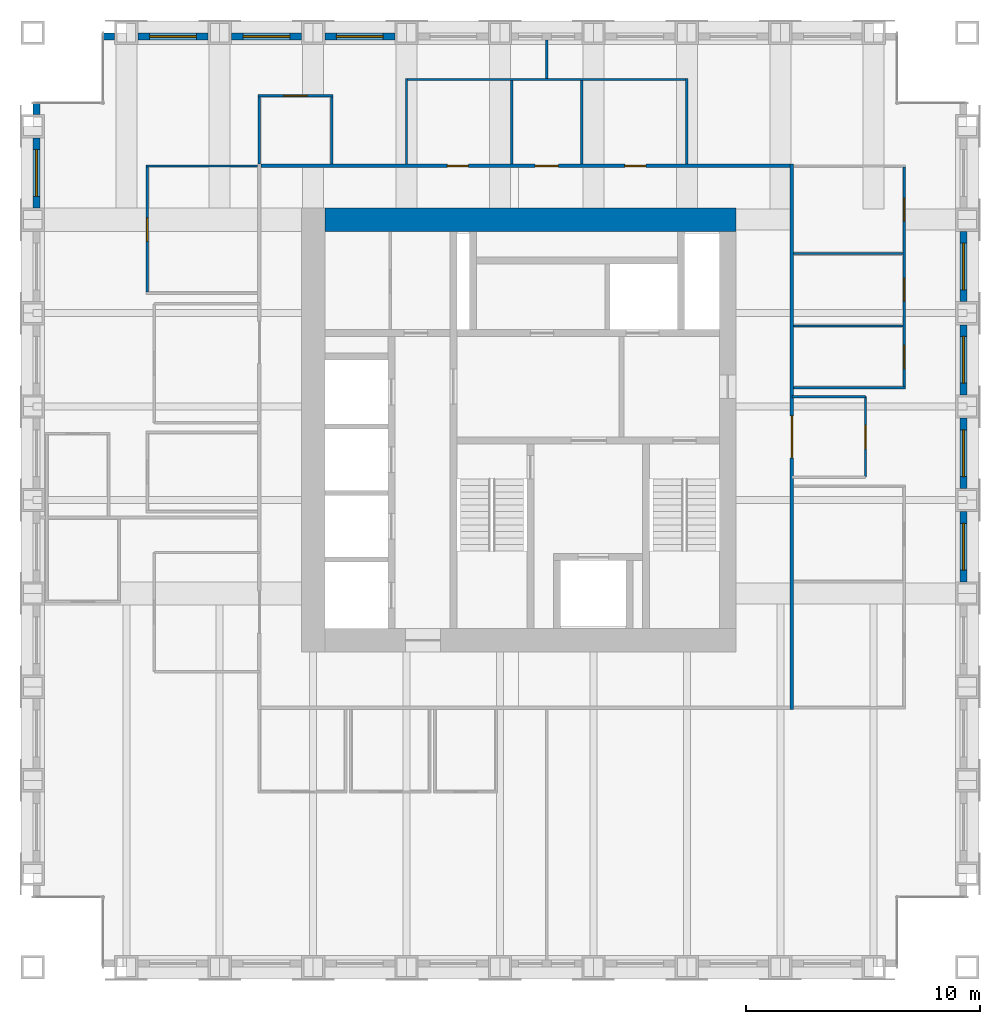
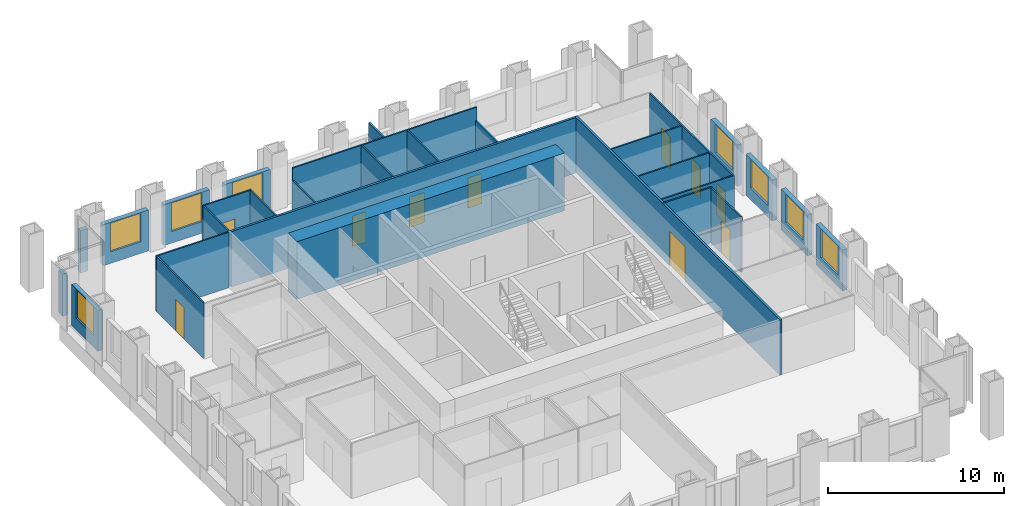
# One storey, part 10 of 13: 30 walls, 10 doors, 8 windows, 18 openings.
"""IFC4 building model written with IfcOpenShell, lengths in metres."""

from ifc_helpers import new_model, si_unit, direction, frame, frame_2d, origin, place, context, subcontext, project, spatial, rectangle, extrude, material, layer, layer_set, type_object, element, fill, save


model = new_model("IFC4")

# Units and contexts
model_context = context("Model", 3, precision=1e-05, world=origin(), true_north=direction((0.0, 1.0)))
body_context = subcontext(model_context, "Body", "Model", "MODEL_VIEW")
ifc_project = project(units=[si_unit("LENGTHUNIT", "METRE"), si_unit("AREAUNIT", "SQUARE_METRE"), si_unit("VOLUMEUNIT", "CUBIC_METRE"), si_unit("PLANEANGLEUNIT", "RADIAN"), si_unit("MASSUNIT", "GRAM", prefix="KILO")], contexts=[model_context])

# Site, building, storey
site_placement = place(None, origin())
site = spatial("IfcSite", under=ifc_project, at=site_placement, CompositionType="ELEMENT")
building_placement = place(site_placement, origin())
building = spatial("IfcBuilding", under=site, at=building_placement, Name="Rimbunsela Tower", CompositionType="ELEMENT")
storey_placement = place(building_placement, frame((0.0, 0.0, 290.199951171875)))
storey = spatial("IfcBuildingStorey", under=building, at=storey_placement, Name="L70", CompositionType="ELEMENT", Elevation=290.199951171875)

# Walls
ifc_material_1 = material(Name="Concrete fc' 80 MPa", Category="concrete")
ifc_layer_1 = layer(ifc_material_1, 1.0)
ifc_layer_set_1 = layer_set([ifc_layer_1], Name="Core wall 1000")
wall_type_1 = type_object("IfcWallType", Name="Core wall 1000", PredefinedType="SHEAR", material=ifc_layer_set_1)
wall_1_placement = place(storey_placement, frame((18.5, 36.0, -0.14990234375), z_axis=(0.0, 0.0, 1.0), x_axis=(1.0, 0.0, 0.0)))
element("IfcWall", 1, at=wall_1_placement, inside=storey, type_object=wall_type_1, Name="Core wall north", PredefinedType="SHEAR", context=body_context, shape_type="SweptSolid", body=[
    extrude(rectangle(XDim=17.60009765625, YDim=1.0, at=frame_2d((8.800048828125, 0.0))), origin(), (0.0, 0.0, 1.0), 4.0),
])
ifc_material_2 = material(Name="Gypsum board on steel studs", Category="steel")
ifc_layer_2 = layer(ifc_material_2, 0.10009765625)
ifc_layer_set_2 = layer_set([ifc_layer_2], Name="Office partition 100")
wall_type_2 = type_object("IfcWallType", Name="Office partition 100", PredefinedType="PARTITIONING", material=ifc_layer_set_2)
wall_2_placement = place(storey_placement, frame((38.574951171875, 28.800048828125, 0.0), z_axis=(0.0, 0.0, 1.0), x_axis=(1.0, 0.0, 0.0)))
element("IfcWall", 2, at=wall_2_placement, inside=storey, type_object=wall_type_2, Name="Office partition", PredefinedType="PARTITIONING", context=body_context, shape_type="SweptSolid", body=[
    extrude(rectangle(XDim=4.775146484375, YDim=0.10009765625, at=frame_2d((2.3876953125, 0.0))), origin(), (0.0, 0.0, 1.0), 3.85009765625),
])
for number, where, z_axis, x_axis, name in (
    (3, (38.574951171875, 31.449951171875, 0.0), (0.0, 0.0, 1.0), (1.0, 0.0, 0.0), "Office partition"),
    (4, (38.574951171875, 34.550048828125, 0.0), (0.0, 0.0, 1.0), (1.0, 0.0, 0.0), "Office partition"),
):
    element("IfcWall", number, at=place(storey_placement, frame(where, z_axis=z_axis, x_axis=x_axis)), inside=storey, type_object=wall_type_2, Name=name, PredefinedType="PARTITIONING", context=body_context, shape_type="SweptSolid", body=[
        extrude(rectangle(XDim=4.675048828125, YDim=0.10009765625, at=frame_2d((2.33740234375, 0.0))), origin(), (0.0, 0.0, 1.0), 3.85009765625),
    ])
wall_3_placement = place(storey_placement, frame((10.85009765625, 38.300048828125, 0.0), z_axis=(0.0, 0.0, 1.0), x_axis=(1.0, 0.0, 0.0)))
element("IfcWall", 5, at=wall_3_placement, inside=storey, type_object=wall_type_2, Name="Office partition", PredefinedType="PARTITIONING", context=body_context, shape_type="SweptSolid", body=[
    extrude(rectangle(XDim=4.77490234375, YDim=0.10009765625, at=frame_2d((2.387451171875, 0.0))), origin(), (0.0, 0.0, 1.0), 3.85009765625),
])

# Wall, opening, door
wall_4_placement = place(storey_placement, frame((15.64990234375, 41.300048828125, 0.0), z_axis=(0.0, 0.0, 1.0), x_axis=(1.0, 0.0, 0.0)))
wall_4 = element("IfcWall", 6, at=wall_4_placement, inside=storey, type_object=wall_type_2, Name="Office partition", PredefinedType="PARTITIONING", context=body_context, shape_type="SweptSolid", body=[
    extrude(rectangle(XDim=3.2001953125, YDim=0.10009765625, at=frame_2d((1.60009765625, 0.0))), origin(), (0.0, 0.0, 1.0), 3.85009765625),
])
opening_1_placement = place(wall_4_placement, frame((1.10009765625, 0.0, 0.0)))
opening_1 = element("IfcOpeningElement", 7, at=opening_1_placement, cuts=wall_4, Name="Opening D16", PredefinedType="OPENING", context=body_context, shape_type="SweptSolid", body=[
    extrude(rectangle(XDim=1.0, YDim=2.199951171875, at=frame_2d((0.5, 1.10009765625))), frame((0.0, 0.06005859375, 0.0), z_axis=(0.0, -1.0, 0.0), x_axis=(1.0, 0.0, 0.0)), (0.0, 0.0, 1.0), 0.1201171875),
])
ifc_material_3 = material(Name="Timber door", Category="wood")
door_type_1 = type_object("IfcDoorType", Name="Office door 1000", OperationType="SINGLE_SWING_LEFT", PredefinedType="DOOR", material=ifc_material_3)
door_1_placement = place(opening_1_placement, origin())
door_1 = element("IfcDoor", 8, at=door_1_placement, inside=storey, type_object=door_type_1, Name="Office door", OperationType="SINGLE_SWING_LEFT", OverallHeight=2.199951171875, OverallWidth=1.0, PredefinedType="DOOR", context=body_context, shape_type="SweptSolid", body=[
    extrude(rectangle(XDim=1.0, YDim=2.199951171875, at=frame_2d((0.5, 1.10009765625))), frame((0.0, 0.02490234375, 0.0), z_axis=(0.0, -1.0, 0.0), x_axis=(1.0, 0.0, 0.0)), (0.0, 0.0, 1.0), 0.050048828125),
])
fill(opening_1, door_1)

wall_5_placement = place(storey_placement, frame((10.89990234375, 32.89990234375, 0.0), z_axis=(0.0, 0.0, 1.0), x_axis=(0.0, 1.0, 0.0)))
wall_5 = element("IfcWall", 9, at=wall_5_placement, inside=storey, type_object=wall_type_2, Name="Office partition", PredefinedType="PARTITIONING", context=body_context, shape_type="SweptSolid", body=[
    extrude(rectangle(XDim=5.35009765625, YDim=0.10009765625, at=frame_2d((2.675048828125, 0.0))), origin(), (0.0, 0.0, 1.0), 3.85009765625),
])
opening_2_placement = place(wall_5_placement, frame((2.175048828125, 0.0, 0.0)))
opening_2 = element("IfcOpeningElement", 10, at=opening_2_placement, cuts=wall_5, Name="Opening D17", PredefinedType="OPENING", context=body_context, shape_type="SweptSolid", body=[
    extrude(rectangle(XDim=1.0, YDim=2.199951171875, at=frame_2d((0.5, 1.10009765625))), frame((0.0, 0.06005859375, 0.0), z_axis=(0.0, -1.0, 0.0), x_axis=(1.0, 0.0, 0.0)), (0.0, 0.0, 1.0), 0.1201171875),
])
ifc_material_4 = material(Name="Glazed aluminium door", Category="aluminium")
door_type_2 = type_object("IfcDoorType", Name="Meeting room door 1000 glazed", OperationType="SINGLE_SWING_RIGHT", PredefinedType="DOOR", material=ifc_material_4)
door_2_placement = place(opening_2_placement, origin())
door_2 = element("IfcDoor", 11, at=door_2_placement, inside=storey, type_object=door_type_2, Name="Meeting room door", OperationType="SINGLE_SWING_RIGHT", OverallHeight=2.199951171875, OverallWidth=1.0, PredefinedType="DOOR", context=body_context, shape_type="SweptSolid", body=[
    extrude(rectangle(XDim=1.0, YDim=2.199951171875, at=frame_2d((0.5, 1.10009765625))), frame((0.0, 0.02490234375, 0.0), z_axis=(0.0, -1.0, 0.0), x_axis=(1.0, 0.0, 0.0)), (0.0, 0.0, 1.0), 0.050048828125),
])
fill(opening_2, door_2)

# Walls
for number, where, z_axis, x_axis, name in (
    (12, (15.699951171875, 38.375, 0.0), (0.0, 0.0, 1.0), (0.0, 1.0, 0.0), "Office partition"),
    (13, (18.800048828125, 38.375, 0.0), (0.0, 0.0, 1.0), (0.0, 1.0, 0.0), "Office partition"),
):
    element("IfcWall", number, at=place(storey_placement, frame(where, z_axis=z_axis, x_axis=x_axis)), inside=storey, type_object=wall_type_2, Name=name, PredefinedType="PARTITIONING", context=body_context, shape_type="SweptSolid", body=[
        extrude(rectangle(XDim=2.875, YDim=0.10009765625, at=frame_2d((1.4375, 0.0))), origin(), (0.0, 0.0, 1.0), 3.85009765625),
    ])

# Wall, openings, doors
wall_6_placement = place(storey_placement, frame((43.300048828125, 28.85009765625, 0.0), z_axis=(0.0, 0.0, 1.0), x_axis=(0.0, 1.0, 0.0)))
wall_6 = element("IfcWall", 14, at=wall_6_placement, inside=storey, type_object=wall_type_2, Name="Office partition", PredefinedType="PARTITIONING", context=body_context, shape_type="SweptSolid", body=[
    extrude(rectangle(XDim=9.39990234375, YDim=0.10009765625, at=frame_2d((4.699951171875, 0.0))), origin(), (0.0, 0.0, 1.0), 3.85009765625),
])
opening_3_placement = place(wall_6_placement, frame((0.77490234375, 0.0, 0.0)))
opening_3 = element("IfcOpeningElement", 15, at=opening_3_placement, cuts=wall_6, Name="Opening D16", PredefinedType="OPENING", context=body_context, shape_type="SweptSolid", body=[
    extrude(rectangle(XDim=1.0, YDim=2.199951171875, at=frame_2d((0.5, 1.10009765625))), frame((0.0, 0.06005859375, 0.0), z_axis=(0.0, -1.0, 0.0), x_axis=(1.0, 0.0, 0.0)), (0.0, 0.0, 1.0), 0.1201171875),
])
opening_4_placement = place(wall_6_placement, frame((3.64990234375, 0.0, 0.0)))
opening_4 = element("IfcOpeningElement", 16, at=opening_4_placement, cuts=wall_6, Name="Opening D16", PredefinedType="OPENING", context=body_context, shape_type="SweptSolid", body=[
    extrude(rectangle(XDim=1.0, YDim=2.199951171875, at=frame_2d((0.5, 1.10009765625))), frame((0.0, 0.06005859375, 0.0), z_axis=(0.0, -1.0, 0.0), x_axis=(1.0, 0.0, 0.0)), (0.0, 0.0, 1.0), 0.1201171875),
])
opening_5_placement = place(wall_6_placement, frame((7.074951171875, 0.0, 0.0)))
opening_5 = element("IfcOpeningElement", 17, at=opening_5_placement, cuts=wall_6, Name="Opening D17", PredefinedType="OPENING", context=body_context, shape_type="SweptSolid", body=[
    extrude(rectangle(XDim=1.0, YDim=2.199951171875, at=frame_2d((0.5, 1.10009765625))), frame((0.0, 0.06005859375, 0.0), z_axis=(0.0, -1.0, 0.0), x_axis=(1.0, 0.0, 0.0)), (0.0, 0.0, 1.0), 0.1201171875),
])
door_3_placement = place(opening_5_placement, origin())
door_3 = element("IfcDoor", 18, at=door_3_placement, inside=storey, type_object=door_type_2, Name="Meeting room door", OperationType="SINGLE_SWING_RIGHT", OverallHeight=2.199951171875, OverallWidth=1.0, PredefinedType="DOOR", context=body_context, shape_type="SweptSolid", body=[
    extrude(rectangle(XDim=1.0, YDim=2.199951171875, at=frame_2d((0.5, 1.10009765625))), frame((0.0, 0.02490234375, 0.0), z_axis=(0.0, -1.0, 0.0), x_axis=(1.0, 0.0, 0.0)), (0.0, 0.0, 1.0), 0.050048828125),
])
fill(opening_5, door_3)
door_4_placement = place(opening_3_placement, origin())
door_4 = element("IfcDoor", 19, at=door_4_placement, inside=storey, type_object=door_type_1, Name="Office door", OperationType="SINGLE_SWING_LEFT", OverallHeight=2.199951171875, OverallWidth=1.0, PredefinedType="DOOR", context=body_context, shape_type="SweptSolid", body=[
    extrude(rectangle(XDim=1.0, YDim=2.199951171875, at=frame_2d((0.5, 1.10009765625))), frame((0.0, 0.02490234375, 0.0), z_axis=(0.0, -1.0, 0.0), x_axis=(1.0, 0.0, 0.0)), (0.0, 0.0, 1.0), 0.050048828125),
])
fill(opening_3, door_4)
door_5_placement = place(opening_4_placement, origin())
door_5 = element("IfcDoor", 20, at=door_5_placement, inside=storey, type_object=door_type_1, Name="Office door", OperationType="SINGLE_SWING_LEFT", OverallHeight=2.199951171875, OverallWidth=1.0, PredefinedType="DOOR", context=body_context, shape_type="SweptSolid", body=[
    extrude(rectangle(XDim=1.0, YDim=2.199951171875, at=frame_2d((0.5, 1.10009765625))), frame((0.0, 0.02490234375, 0.0), z_axis=(0.0, -1.0, 0.0), x_axis=(1.0, 0.0, 0.0)), (0.0, 0.0, 1.0), 0.050048828125),
])
fill(opening_4, door_5)

# Wall, opening, door
wall_7_placement = place(storey_placement, frame((41.64990234375, 24.97509765625, 0.0), z_axis=(0.0, 0.0, 1.0), x_axis=(0.0, 1.0, 0.0)))
wall_7 = element("IfcWall", 21, at=wall_7_placement, inside=storey, type_object=wall_type_2, Name="Office partition", PredefinedType="PARTITIONING", context=body_context, shape_type="SweptSolid", body=[
    extrude(rectangle(XDim=3.449951171875, YDim=0.10009765625, at=frame_2d((1.72509765625, 0.0))), origin(), (0.0, 0.0, 1.0), 3.85009765625),
])
opening_6_placement = place(wall_7_placement, frame((1.22509765625, 0.0, 0.0)))
opening_6 = element("IfcOpeningElement", 22, at=opening_6_placement, cuts=wall_7, Name="Opening D17", PredefinedType="OPENING", context=body_context, shape_type="SweptSolid", body=[
    extrude(rectangle(XDim=1.0, YDim=2.199951171875, at=frame_2d((0.5, 1.10009765625))), frame((0.0, 0.06005859375, 0.0), z_axis=(0.0, -1.0, 0.0), x_axis=(1.0, 0.0, 0.0)), (0.0, 0.0, 1.0), 0.1201171875),
])
door_6_placement = place(opening_6_placement, origin())
door_6 = element("IfcDoor", 23, at=door_6_placement, inside=storey, type_object=door_type_2, Name="Reception door", OperationType="SINGLE_SWING_RIGHT", OverallHeight=2.199951171875, OverallWidth=1.0, PredefinedType="DOOR", context=body_context, shape_type="SweptSolid", body=[
    extrude(rectangle(XDim=1.0, YDim=2.199951171875, at=frame_2d((0.5, 1.10009765625))), frame((0.0, 0.02490234375, 0.0), z_axis=(0.0, -1.0, 0.0), x_axis=(1.0, 0.0, 0.0)), (0.0, 0.0, 1.0), 0.050048828125),
])
fill(opening_6, door_6)

# Wall
wall_8_placement = place(storey_placement, frame((41.64990234375, 28.425048828125, 0.0), z_axis=(0.0, 0.0, 1.0), x_axis=(-1.0, 0.0, 0.0)))
element("IfcWall", 24, at=wall_8_placement, inside=storey, type_object=wall_type_2, Name="Office partition", PredefinedType="PARTITIONING", context=body_context, shape_type="SweptSolid", body=[
    extrude(rectangle(XDim=3.14990234375, YDim=0.10009765625, at=frame_2d((1.574951171875, 0.0))), origin(), (0.0, 0.0, 1.0), 3.85009765625),
])

# Wall, opening, window
ifc_material_5 = material(Name="Precast concrete fc' 35 MPa", Category="concrete")
ifc_layer_3 = layer(ifc_material_5, 0.300048828125)
ifc_layer_set_3 = layer_set([ifc_layer_3], Name="Precast concrete fc' 35 MPa")
wall_type_3 = type_object("IfcWallType", Name="Precast facade panel 300", PredefinedType="ELEMENTEDWALL", material=ifc_layer_set_3)
wall_9_placement = place(storey_placement, frame((45.85009765625, 20.5, 0.0), z_axis=(0.0, 0.0, 1.0), x_axis=(0.0, 1.0, 0.0)))
wall_9 = element("IfcWall", 25, at=wall_9_placement, inside=storey, type_object=wall_type_3, Name="Facade panel E L70", PredefinedType="ELEMENTEDWALL", context=body_context, shape_type="SweptSolid", body=[
    extrude(rectangle(XDim=3.0, YDim=0.300048828125, at=frame_2d((1.5, 0.0))), origin(), (0.0, 0.0, 1.0), 2.85009765625),
])
opening_7_placement = place(wall_9_placement, frame((0.5, 0.0, 0.800048828125)))
opening_7 = element("IfcOpeningElement", 26, at=opening_7_placement, cuts=wall_9, Name="Opening W1", PredefinedType="OPENING", context=body_context, shape_type="SweptSolid", body=[
    extrude(rectangle(XDim=2.0, YDim=2.0, at=frame_2d((1.0, 1.0))), frame((0.0, 0.159912109375, 0.0), z_axis=(0.0, -1.0, 0.0), x_axis=(1.0, 0.0, 0.0)), (0.0, 0.0, 1.0), 0.320068359375),
])
ifc_material_6 = material(Name="Clear glass in aluminium frame", Category="aluminium")
window_type = type_object("IfcWindowType", Name="Window W1 2000x2000", PartitioningType="DOUBLE_PANEL_VERTICAL", PredefinedType="WINDOW", material=ifc_material_6)
window_1_placement = place(opening_7_placement, origin())
window_1 = element("IfcWindow", 27, at=window_1_placement, inside=storey, type_object=window_type, Name="Window L70", OverallHeight=2.0, OverallWidth=2.0, PartitioningType="SINGLE_PANEL", PredefinedType="WINDOW", context=body_context, shape_type="SweptSolid", body=[
    extrude(rectangle(XDim=2.0, YDim=2.0, at=frame_2d((1.0, 1.0))), frame((0.0, 0.030029296875, 0.0), z_axis=(0.0, -1.0, 0.0), x_axis=(1.0, 0.0, 0.0)), (0.0, 0.0, 1.0), 0.06005859375),
])
fill(opening_7, window_1)

wall_10_placement = place(storey_placement, frame((45.85009765625, 24.5, 0.0), z_axis=(0.0, 0.0, 1.0), x_axis=(0.0, 1.0, 0.0)))
wall_10 = element("IfcWall", 28, at=wall_10_placement, inside=storey, type_object=wall_type_3, Name="Facade panel E L70", PredefinedType="ELEMENTEDWALL", context=body_context, shape_type="SweptSolid", body=[
    extrude(rectangle(XDim=3.0, YDim=0.300048828125, at=frame_2d((1.5, 0.0))), origin(), (0.0, 0.0, 1.0), 2.85009765625),
])
opening_8_placement = place(wall_10_placement, frame((0.5, 0.0, 0.800048828125)))
opening_8 = element("IfcOpeningElement", 29, at=opening_8_placement, cuts=wall_10, Name="Opening W1", PredefinedType="OPENING", context=body_context, shape_type="SweptSolid", body=[
    extrude(rectangle(XDim=2.0, YDim=2.0, at=frame_2d((1.0, 1.0))), frame((0.0, 0.159912109375, 0.0), z_axis=(0.0, -1.0, 0.0), x_axis=(1.0, 0.0, 0.0)), (0.0, 0.0, 1.0), 0.320068359375),
])
window_2_placement = place(opening_8_placement, origin())
window_2 = element("IfcWindow", 30, at=window_2_placement, inside=storey, type_object=window_type, Name="Window L70", OverallHeight=2.0, OverallWidth=2.0, PartitioningType="SINGLE_PANEL", PredefinedType="WINDOW", context=body_context, shape_type="SweptSolid", body=[
    extrude(rectangle(XDim=2.0, YDim=2.0, at=frame_2d((1.0, 1.0))), frame((0.0, 0.030029296875, 0.0), z_axis=(0.0, -1.0, 0.0), x_axis=(1.0, 0.0, 0.0)), (0.0, 0.0, 1.0), 0.06005859375),
])
fill(opening_8, window_2)

wall_11_placement = place(storey_placement, frame((45.85009765625, 28.5, 0.0), z_axis=(0.0, 0.0, 1.0), x_axis=(0.0, 1.0, 0.0)))
wall_11 = element("IfcWall", 31, at=wall_11_placement, inside=storey, type_object=wall_type_3, Name="Facade panel E L70", PredefinedType="ELEMENTEDWALL", context=body_context, shape_type="SweptSolid", body=[
    extrude(rectangle(XDim=3.0, YDim=0.300048828125, at=frame_2d((1.5, 0.0))), origin(), (0.0, 0.0, 1.0), 2.85009765625),
])
opening_9_placement = place(wall_11_placement, frame((0.5, 0.0, 0.800048828125)))
opening_9 = element("IfcOpeningElement", 32, at=opening_9_placement, cuts=wall_11, Name="Opening W1", PredefinedType="OPENING", context=body_context, shape_type="SweptSolid", body=[
    extrude(rectangle(XDim=2.0, YDim=2.0, at=frame_2d((1.0, 1.0))), frame((0.0, 0.159912109375, 0.0), z_axis=(0.0, -1.0, 0.0), x_axis=(1.0, 0.0, 0.0)), (0.0, 0.0, 1.0), 0.320068359375),
])
window_3_placement = place(opening_9_placement, origin())
window_3 = element("IfcWindow", 33, at=window_3_placement, inside=storey, type_object=window_type, Name="Window L70", OverallHeight=2.0, OverallWidth=2.0, PartitioningType="SINGLE_PANEL", PredefinedType="WINDOW", context=body_context, shape_type="SweptSolid", body=[
    extrude(rectangle(XDim=2.0, YDim=2.0, at=frame_2d((1.0, 1.0))), frame((0.0, 0.030029296875, 0.0), z_axis=(0.0, -1.0, 0.0), x_axis=(1.0, 0.0, 0.0)), (0.0, 0.0, 1.0), 0.06005859375),
])
fill(opening_9, window_3)

wall_12_placement = place(storey_placement, frame((45.85009765625, 32.5, 0.0), z_axis=(0.0, 0.0, 1.0), x_axis=(0.0, 1.0, 0.0)))
wall_12 = element("IfcWall", 34, at=wall_12_placement, inside=storey, type_object=wall_type_3, Name="Facade panel E L70", PredefinedType="ELEMENTEDWALL", context=body_context, shape_type="SweptSolid", body=[
    extrude(rectangle(XDim=3.0, YDim=0.300048828125, at=frame_2d((1.5, 0.0))), origin(), (0.0, 0.0, 1.0), 2.85009765625),
])
opening_10_placement = place(wall_12_placement, frame((0.5, 0.0, 0.800048828125)))
opening_10 = element("IfcOpeningElement", 35, at=opening_10_placement, cuts=wall_12, Name="Opening W1", PredefinedType="OPENING", context=body_context, shape_type="SweptSolid", body=[
    extrude(rectangle(XDim=2.0, YDim=2.0, at=frame_2d((1.0, 1.0))), frame((0.0, 0.159912109375, 0.0), z_axis=(0.0, -1.0, 0.0), x_axis=(1.0, 0.0, 0.0)), (0.0, 0.0, 1.0), 0.320068359375),
])
window_4_placement = place(opening_10_placement, origin())
window_4 = element("IfcWindow", 36, at=window_4_placement, inside=storey, type_object=window_type, Name="Window L70", OverallHeight=2.0, OverallWidth=2.0, PartitioningType="SINGLE_PANEL", PredefinedType="WINDOW", context=body_context, shape_type="SweptSolid", body=[
    extrude(rectangle(XDim=2.0, YDim=2.0, at=frame_2d((1.0, 1.0))), frame((0.0, 0.030029296875, 0.0), z_axis=(0.0, -1.0, 0.0), x_axis=(1.0, 0.0, 0.0)), (0.0, 0.0, 1.0), 0.06005859375),
])
fill(opening_10, window_4)

# Wall
wall_13_placement = place(storey_placement, frame((9.5, 43.85009765625, 0.0), z_axis=(0.0, 0.0, 1.0), x_axis=(-1.0, 0.0, 0.0)))
element("IfcWall", 37, at=wall_13_placement, inside=storey, type_object=wall_type_3, Name="Facade panel N L70", PredefinedType="ELEMENTEDWALL", context=body_context, shape_type="SweptSolid", body=[
    extrude(rectangle(XDim=0.469970703125, YDim=0.300048828125, at=frame_2d((0.23486328125, 0.0))), origin(), (0.0, 0.0, 1.0), 2.949951171875),
])

# Wall, opening, window
wall_14_placement = place(storey_placement, frame((13.5, 43.85009765625, 0.0), z_axis=(0.0, 0.0, 1.0), x_axis=(-1.0, 0.0, 0.0)))
wall_14 = element("IfcWall", 38, at=wall_14_placement, inside=storey, type_object=wall_type_3, Name="Facade panel N L70", PredefinedType="ELEMENTEDWALL", context=body_context, shape_type="SweptSolid", body=[
    extrude(rectangle(XDim=3.0, YDim=0.300048828125, at=frame_2d((1.5, 0.0))), origin(), (0.0, 0.0, 1.0), 2.85009765625),
])
opening_11_placement = place(wall_14_placement, frame((0.5, 0.0, 0.800048828125)))
opening_11 = element("IfcOpeningElement", 39, at=opening_11_placement, cuts=wall_14, Name="Opening W1", PredefinedType="OPENING", context=body_context, shape_type="SweptSolid", body=[
    extrude(rectangle(XDim=2.0, YDim=2.0, at=frame_2d((1.0, 1.0))), frame((0.0, 0.159912109375, 0.0), z_axis=(0.0, -1.0, 0.0), x_axis=(1.0, 0.0, 0.0)), (0.0, 0.0, 1.0), 0.320068359375),
])
window_5_placement = place(opening_11_placement, origin())
window_5 = element("IfcWindow", 40, at=window_5_placement, inside=storey, type_object=window_type, Name="Window L70", OverallHeight=2.0, OverallWidth=2.0, PartitioningType="SINGLE_PANEL", PredefinedType="WINDOW", context=body_context, shape_type="SweptSolid", body=[
    extrude(rectangle(XDim=2.0, YDim=2.0, at=frame_2d((1.0, 1.0))), frame((0.0, 0.030029296875, 0.0), z_axis=(0.0, -1.0, 0.0), x_axis=(1.0, 0.0, 0.0)), (0.0, 0.0, 1.0), 0.06005859375),
])
fill(opening_11, window_5)

wall_15_placement = place(storey_placement, frame((17.5, 43.85009765625, 0.0), z_axis=(0.0, 0.0, 1.0), x_axis=(-1.0, 0.0, 0.0)))
wall_15 = element("IfcWall", 41, at=wall_15_placement, inside=storey, type_object=wall_type_3, Name="Facade panel N L70", PredefinedType="ELEMENTEDWALL", context=body_context, shape_type="SweptSolid", body=[
    extrude(rectangle(XDim=3.0, YDim=0.300048828125, at=frame_2d((1.5, 0.0))), origin(), (0.0, 0.0, 1.0), 2.85009765625),
])
opening_12_placement = place(wall_15_placement, frame((0.5, 0.0, 0.800048828125)))
opening_12 = element("IfcOpeningElement", 42, at=opening_12_placement, cuts=wall_15, Name="Opening W1", PredefinedType="OPENING", context=body_context, shape_type="SweptSolid", body=[
    extrude(rectangle(XDim=2.0, YDim=2.0, at=frame_2d((1.0, 1.0))), frame((0.0, 0.159912109375, 0.0), z_axis=(0.0, -1.0, 0.0), x_axis=(1.0, 0.0, 0.0)), (0.0, 0.0, 1.0), 0.320068359375),
])
window_6_placement = place(opening_12_placement, origin())
window_6 = element("IfcWindow", 43, at=window_6_placement, inside=storey, type_object=window_type, Name="Window L70", OverallHeight=2.0, OverallWidth=2.0, PartitioningType="SINGLE_PANEL", PredefinedType="WINDOW", context=body_context, shape_type="SweptSolid", body=[
    extrude(rectangle(XDim=2.0, YDim=2.0, at=frame_2d((1.0, 1.0))), frame((0.0, 0.030029296875, 0.0), z_axis=(0.0, -1.0, 0.0), x_axis=(1.0, 0.0, 0.0)), (0.0, 0.0, 1.0), 0.06005859375),
])
fill(opening_12, window_6)

wall_16_placement = place(storey_placement, frame((21.5, 43.85009765625, 0.0), z_axis=(0.0, 0.0, 1.0), x_axis=(-1.0, 0.0, 0.0)))
wall_16 = element("IfcWall", 44, at=wall_16_placement, inside=storey, type_object=wall_type_3, Name="Facade panel N L70", PredefinedType="ELEMENTEDWALL", context=body_context, shape_type="SweptSolid", body=[
    extrude(rectangle(XDim=3.0, YDim=0.300048828125, at=frame_2d((1.5, 0.0))), origin(), (0.0, 0.0, 1.0), 2.85009765625),
])
opening_13_placement = place(wall_16_placement, frame((0.5, 0.0, 0.800048828125)))
opening_13 = element("IfcOpeningElement", 45, at=opening_13_placement, cuts=wall_16, Name="Opening W1", PredefinedType="OPENING", context=body_context, shape_type="SweptSolid", body=[
    extrude(rectangle(XDim=2.0, YDim=2.0, at=frame_2d((1.0, 1.0))), frame((0.0, 0.159912109375, 0.0), z_axis=(0.0, -1.0, 0.0), x_axis=(1.0, 0.0, 0.0)), (0.0, 0.0, 1.0), 0.320068359375),
])
window_7_placement = place(opening_13_placement, origin())
window_7 = element("IfcWindow", 46, at=window_7_placement, inside=storey, type_object=window_type, Name="Window L70", OverallHeight=2.0, OverallWidth=2.0, PartitioningType="SINGLE_PANEL", PredefinedType="WINDOW", context=body_context, shape_type="SweptSolid", body=[
    extrude(rectangle(XDim=2.0, YDim=2.0, at=frame_2d((1.0, 1.0))), frame((0.0, 0.030029296875, 0.0), z_axis=(0.0, -1.0, 0.0), x_axis=(1.0, 0.0, 0.0)), (0.0, 0.0, 1.0), 0.06005859375),
])
fill(opening_13, window_7)

wall_17_placement = place(storey_placement, frame((6.14990234375, 39.5, 0.0), z_axis=(0.0, 0.0, 1.0), x_axis=(0.0, -1.0, 0.0)))
wall_17 = element("IfcWall", 47, at=wall_17_placement, inside=storey, type_object=wall_type_3, Name="Facade panel W L70", PredefinedType="ELEMENTEDWALL", context=body_context, shape_type="SweptSolid", body=[
    extrude(rectangle(XDim=3.0, YDim=0.300048828125, at=frame_2d((1.5, 0.0))), origin(), (0.0, 0.0, 1.0), 2.85009765625),
])
opening_14_placement = place(wall_17_placement, frame((0.5, 0.0, 0.800048828125)))
opening_14 = element("IfcOpeningElement", 48, at=opening_14_placement, cuts=wall_17, Name="Opening W1", PredefinedType="OPENING", context=body_context, shape_type="SweptSolid", body=[
    extrude(rectangle(XDim=2.0, YDim=2.0, at=frame_2d((1.0, 1.0))), frame((0.0, 0.159912109375, 0.0), z_axis=(0.0, -1.0, 0.0), x_axis=(1.0, 0.0, 0.0)), (0.0, 0.0, 1.0), 0.320068359375),
])
window_8_placement = place(opening_14_placement, origin())
window_8 = element("IfcWindow", 49, at=window_8_placement, inside=storey, type_object=window_type, Name="Window L70", OverallHeight=2.0, OverallWidth=2.0, PartitioningType="SINGLE_PANEL", PredefinedType="WINDOW", context=body_context, shape_type="SweptSolid", body=[
    extrude(rectangle(XDim=2.0, YDim=2.0, at=frame_2d((1.0, 1.0))), frame((0.0, 0.030029296875, 0.0), z_axis=(0.0, -1.0, 0.0), x_axis=(1.0, 0.0, 0.0)), (0.0, 0.0, 1.0), 0.06005859375),
])
fill(opening_14, window_8)

# Wall
wall_18_placement = place(storey_placement, frame((6.14990234375, 40.969970703125, 0.0), z_axis=(0.0, 0.0, 1.0), x_axis=(0.0, -1.0, 0.0)))
element("IfcWall", 50, at=wall_18_placement, inside=storey, type_object=wall_type_3, Name="Facade panel W L70", PredefinedType="ELEMENTEDWALL", context=body_context, shape_type="SweptSolid", body=[
    extrude(rectangle(XDim=0.469970703125, YDim=0.300048828125, at=frame_2d((0.23486328125, 0.0))), origin(), (0.0, 0.0, 1.0), 2.949951171875),
])

# Wall, opening, door
ifc_material_7 = material(Name="Fire-rated gypsum board on steel studs, EI 60", Category="steel")
ifc_layer_4 = layer(ifc_material_7, 0.14990234375)
ifc_layer_set_4 = layer_set([ifc_layer_4], Name="Rated corridor wall 150")
wall_type_4 = type_object("IfcWallType", Name="Rated corridor wall 150", PredefinedType="PARTITIONING", material=ifc_layer_set_4)
wall_19_placement = place(storey_placement, frame((38.5, 15.02490234375, 0.0), z_axis=(0.0, 0.0, 1.0), x_axis=(0.0, 1.0, 0.0)))
wall_19 = element("IfcWall", 51, at=wall_19_placement, inside=storey, type_object=wall_type_4, Name="Corridor wall east", PredefinedType="PARTITIONING", context=body_context, shape_type="SweptSolid", body=[
    extrude(rectangle(XDim=23.35009765625, YDim=0.14990234375, at=frame_2d((11.675048828125, 0.0))), origin(), (0.0, 0.0, 1.0), 3.85009765625),
])
opening_15_placement = place(wall_19_placement, frame((10.77490234375, 0.0, 0.0)))
opening_15 = element("IfcOpeningElement", 52, at=opening_15_placement, cuts=wall_19, Name="Opening D09", PredefinedType="OPENING", context=body_context, shape_type="SweptSolid", body=[
    extrude(rectangle(XDim=1.800048828125, YDim=2.39990234375, at=frame_2d((0.89990234375, 1.199951171875))), frame((0.0, 0.0849609375, 0.0), z_axis=(0.0, -1.0, 0.0), x_axis=(1.0, 0.0, 0.0)), (0.0, 0.0, 1.0), 0.169921875),
])
ifc_material_8 = material(Name="Glazed aluminium door, fire rated", Category="aluminium")
door_type_3 = type_object("IfcDoorType", Name="Tenancy door 1800 glazed", OperationType="DOUBLE_DOOR_DOUBLE_SWING", PredefinedType="DOOR", material=ifc_material_8)
door_7_placement = place(opening_15_placement, origin())
door_7 = element("IfcDoor", 53, at=door_7_placement, inside=storey, type_object=door_type_3, Name="Tenancy door", OperationType="DOUBLE_DOOR_DOUBLE_SWING", OverallHeight=2.39990234375, OverallWidth=1.800048828125, PredefinedType="DOOR", context=body_context, shape_type="SweptSolid", body=[
    extrude(rectangle(XDim=1.800048828125, YDim=2.39990234375, at=frame_2d((0.89990234375, 1.199951171875))), frame((0.0, 0.02490234375, 0.0), z_axis=(0.0, -1.0, 0.0), x_axis=(1.0, 0.0, 0.0)), (0.0, 0.0, 1.0), 0.050048828125),
])
fill(opening_15, door_7)

# Wall, openings, doors
wall_20_placement = place(storey_placement, frame((15.77490234375, 38.300048828125, 0.0), z_axis=(0.0, 0.0, 1.0), x_axis=(1.0, 0.0, 0.0)))
wall_20 = element("IfcWall", 54, at=wall_20_placement, inside=storey, type_object=wall_type_4, Name="Corridor wall north", PredefinedType="PARTITIONING", context=body_context, shape_type="SweptSolid", body=[
    extrude(rectangle(XDim=22.650146484375, YDim=0.14990234375, at=frame_2d((11.3251953125, 0.0))), origin(), (0.0, 0.0, 1.0), 3.85009765625),
])
opening_16_placement = place(wall_20_placement, frame((7.97509765625, 0.0, 0.0)))
opening_16 = element("IfcOpeningElement", 55, at=opening_16_placement, cuts=wall_20, Name="Opening D04", PredefinedType="OPENING", context=body_context, shape_type="SweptSolid", body=[
    extrude(rectangle(XDim=0.89990234375, YDim=2.10009765625, at=frame_2d((0.449951171875, 1.050048828125))), frame((0.0, 0.0849609375, 0.0), z_axis=(0.0, -1.0, 0.0), x_axis=(1.0, 0.0, 0.0)), (0.0, 0.0, 1.0), 0.169921875),
])
opening_17_placement = place(wall_20_placement, frame((11.72509765625, 0.0, 0.0)))
opening_17 = element("IfcOpeningElement", 56, at=opening_17_placement, cuts=wall_20, Name="Opening D05", PredefinedType="OPENING", context=body_context, shape_type="SweptSolid", body=[
    extrude(rectangle(XDim=1.0, YDim=2.10009765625, at=frame_2d((0.5, 1.050048828125))), frame((0.0, 0.0849609375, 0.0), z_axis=(0.0, -1.0, 0.0), x_axis=(1.0, 0.0, 0.0)), (0.0, 0.0, 1.0), 0.169921875),
])
opening_18_placement = place(wall_20_placement, frame((15.574951171875, 0.0, 0.0)))
opening_18 = element("IfcOpeningElement", 57, at=opening_18_placement, cuts=wall_20, Name="Opening D04", PredefinedType="OPENING", context=body_context, shape_type="SweptSolid", body=[
    extrude(rectangle(XDim=0.89990234375, YDim=2.10009765625, at=frame_2d((0.449951171875, 1.050048828125))), frame((0.0, 0.0849609375, 0.0), z_axis=(0.0, -1.0, 0.0), x_axis=(1.0, 0.0, 0.0)), (0.0, 0.0, 1.0), 0.169921875),
])
ifc_material_9 = material(Name="Timber door", Category="wood")
door_type_4 = type_object("IfcDoorType", Name="Accessible WC door 1000", OperationType="SLIDING_TO_LEFT", PredefinedType="DOOR", material=ifc_material_9)
door_8_placement = place(opening_17_placement, origin())
door_8 = element("IfcDoor", 58, at=door_8_placement, inside=storey, type_object=door_type_4, Name="Accessible WC door", OperationType="SLIDING_TO_LEFT", OverallHeight=2.10009765625, OverallWidth=1.0, PredefinedType="DOOR", context=body_context, shape_type="SweptSolid", body=[
    extrude(rectangle(XDim=1.0, YDim=2.10009765625, at=frame_2d((0.5, 1.050048828125))), frame((0.0, 0.02490234375, 0.0), z_axis=(0.0, -1.0, 0.0), x_axis=(1.0, 0.0, 0.0)), (0.0, 0.0, 1.0), 0.050048828125),
])
fill(opening_17, door_8)
ifc_material_10 = material(Name="Timber door", Category="wood")
door_type_5 = type_object("IfcDoorType", Name="Toilet door 900", OperationType="SINGLE_SWING_LEFT", PredefinedType="DOOR", material=ifc_material_10)
door_9_placement = place(opening_16_placement, origin())
door_9 = element("IfcDoor", 59, at=door_9_placement, inside=storey, type_object=door_type_5, Name="Female WC door", OperationType="SINGLE_SWING_LEFT", OverallHeight=2.10009765625, OverallWidth=0.89990234375, PredefinedType="DOOR", context=body_context, shape_type="SweptSolid", body=[
    extrude(rectangle(XDim=0.89990234375, YDim=2.10009765625, at=frame_2d((0.449951171875, 1.050048828125))), frame((0.0, 0.02490234375, 0.0), z_axis=(0.0, -1.0, 0.0), x_axis=(1.0, 0.0, 0.0)), (0.0, 0.0, 1.0), 0.050048828125),
])
fill(opening_16, door_9)
door_10_placement = place(opening_18_placement, origin())
door_10 = element("IfcDoor", 60, at=door_10_placement, inside=storey, type_object=door_type_5, Name="Male WC door", OperationType="SINGLE_SWING_LEFT", OverallHeight=2.10009765625, OverallWidth=0.89990234375, PredefinedType="DOOR", context=body_context, shape_type="SweptSolid", body=[
    extrude(rectangle(XDim=0.89990234375, YDim=2.10009765625, at=frame_2d((0.449951171875, 1.050048828125))), frame((0.0, 0.02490234375, 0.0), z_axis=(0.0, -1.0, 0.0), x_axis=(1.0, 0.0, 0.0)), (0.0, 0.0, 1.0), 0.050048828125),
])
fill(opening_18, door_10)

# Walls
ifc_material_11 = material(Name="Gypsum board on steel studs", Category="steel")
ifc_layer_5 = layer(ifc_material_11, 0.1201171875)
ifc_layer_set_5 = layer_set([ifc_layer_5], Name="Tenancy partition 120")
wall_type_5 = type_object("IfcWallType", Name="Tenancy partition 120", PredefinedType="PARTITIONING", material=ifc_layer_set_5)
wall_21_placement = place(storey_placement, frame((28.0, 42.050048828125, 0.0), z_axis=(0.0, 0.0, 1.0), x_axis=(0.0, 1.0, 0.0)))
element("IfcWall", 61, at=wall_21_placement, inside=storey, type_object=wall_type_5, Name="Tenancy partition north", PredefinedType="PARTITIONING", context=body_context, shape_type="SweptSolid", body=[
    extrude(rectangle(XDim=1.64990234375, YDim=0.1201171875, at=frame_2d((0.824951171875, 0.0))), origin(), (0.0, 0.0, 1.0), 3.85009765625),
])
ifc_material_12 = material(Name="Concrete blockwork", Category="masonry")
ifc_layer_6 = layer(ifc_material_12, 0.10009765625)
ifc_layer_set_6 = layer_set([ifc_layer_6], Name="Toilet partition 100")
wall_type_6 = type_object("IfcWallType", Name="Toilet partition 100", PredefinedType="PARTITIONING", material=ifc_layer_set_6)
for number, where, z_axis, x_axis, name in (
    (62, (22.0, 38.375, 0.0), (0.0, 0.0, 1.0), (0.0, 1.0, 0.0), "Toilet block wall west"),
    (63, (34.0, 38.375, 0.0), (0.0, 0.0, 1.0), (0.0, 1.0, 0.0), "Toilet block wall east"),
):
    element("IfcWall", number, at=place(storey_placement, frame(where, z_axis=z_axis, x_axis=x_axis)), inside=storey, type_object=wall_type_6, Name=name, PredefinedType="PARTITIONING", context=body_context, shape_type="SweptSolid", body=[
        extrude(rectangle(XDim=3.675048828125, YDim=0.10009765625, at=frame_2d((1.83740234375, 0.0))), origin(), (0.0, 0.0, 1.0), 2.949951171875),
    ])
wall_22_placement = place(storey_placement, frame((21.949951171875, 42.0, 0.0), z_axis=(0.0, 0.0, 1.0), x_axis=(1.0, 0.0, 0.0)))
element("IfcWall", 64, at=wall_22_placement, inside=storey, type_object=wall_type_6, Name="Toilet block wall north", PredefinedType="PARTITIONING", context=body_context, shape_type="SweptSolid", body=[
    extrude(rectangle(XDim=12.10009765625, YDim=0.10009765625, at=frame_2d((6.050048828125, 0.0))), origin(), (0.0, 0.0, 1.0), 3.85009765625),
])
for number, where, z_axis, x_axis, name in (
    (65, (26.5, 38.375, 0.0), (0.0, 0.0, 1.0), (0.0, 1.0, 0.0), "Toilet partition"),
    (66, (29.5, 38.375, 0.0), (0.0, 0.0, 1.0), (0.0, 1.0, 0.0), "Toilet partition"),
):
    element("IfcWall", number, at=place(storey_placement, frame(where, z_axis=z_axis, x_axis=x_axis)), inside=storey, type_object=wall_type_6, Name=name, PredefinedType="PARTITIONING", context=body_context, shape_type="SweptSolid", body=[
        extrude(rectangle(XDim=3.574951171875, YDim=0.10009765625, at=frame_2d((1.78759765625, 0.0))), origin(), (0.0, 0.0, 1.0), 3.85009765625),
    ])

save(model, "model.ifc")
